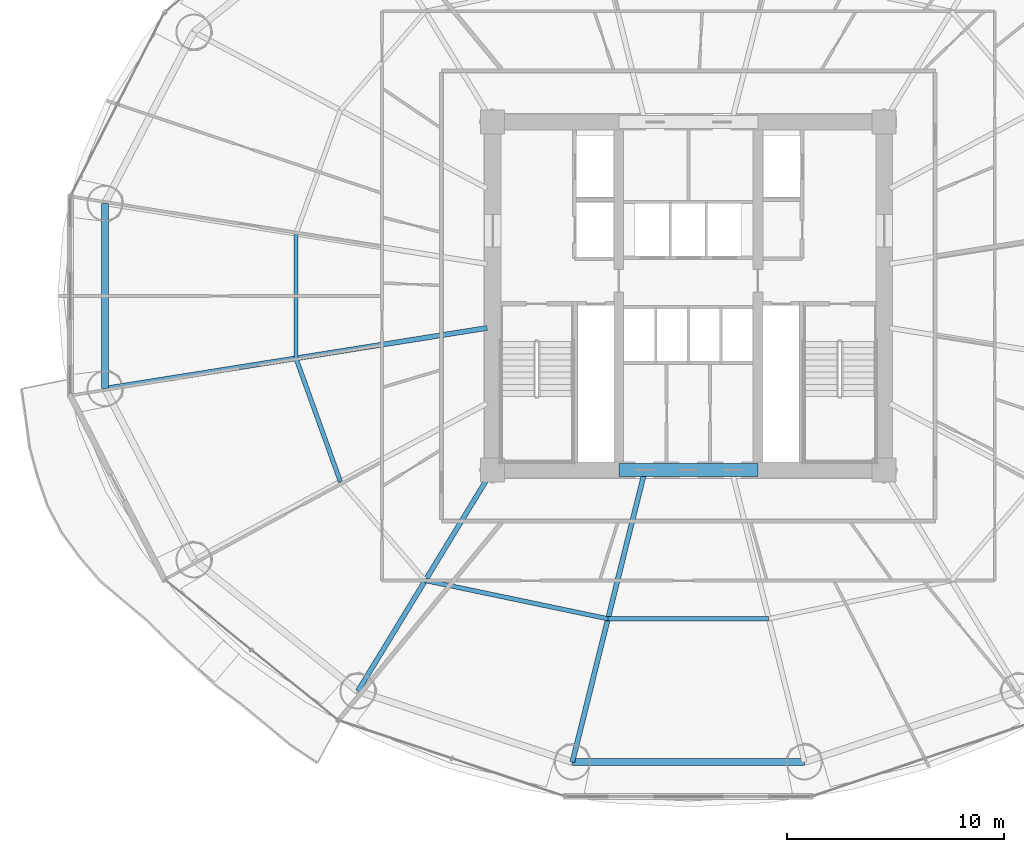
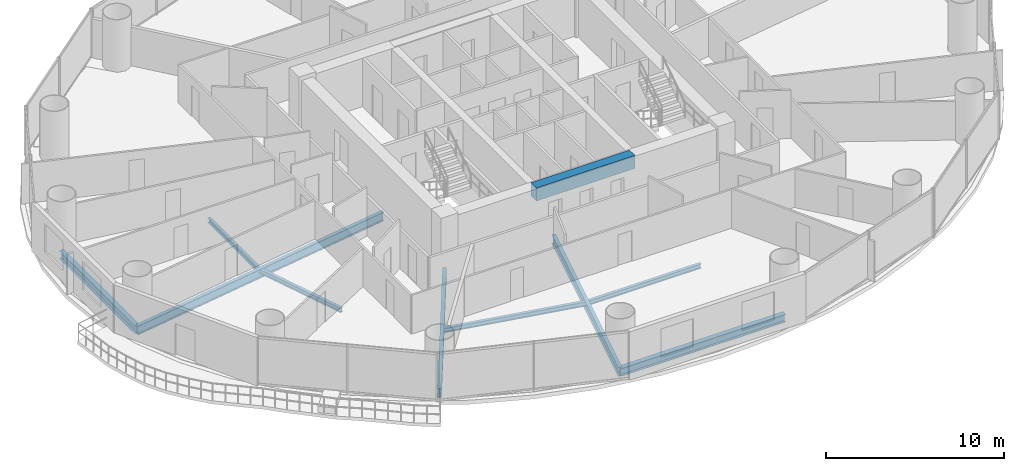
# One storey, part 5 of 28: 10 beams.
"""IFC4 building model written with IfcOpenShell, lengths in metres."""

from ifc_helpers import new_model, si_unit, direction, frame, origin, origin_2d, place, context, subcontext, project, spatial, rectangle, i_section, extrude, material, material_profile, profile_set, type_object, element, save


model = new_model("IFC4")

# Units and contexts
model_context = context("Model", 3, precision=1e-05, world=origin(), true_north=direction((-0.2419218956, 0.970295726276)))
body_context = subcontext(model_context, "Body", "Model", "MODEL_VIEW")
ifc_project = project(units=[si_unit("LENGTHUNIT", "METRE"), si_unit("AREAUNIT", "SQUARE_METRE"), si_unit("VOLUMEUNIT", "CUBIC_METRE"), si_unit("PLANEANGLEUNIT", "RADIAN"), si_unit("MASSUNIT", "GRAM", prefix="KILO")], contexts=[model_context])

# Site, building, storey
site_placement = place(None, origin())
site = spatial("IfcSite", under=ifc_project, at=site_placement, CompositionType="ELEMENT")
building_placement = place(site_placement, origin())
building = spatial("IfcBuilding", under=site, at=building_placement, Name="Cobrevalo Terracotta Tower", CompositionType="ELEMENT")
storey_placement = place(building_placement, frame((0.0, 0.0, 42.0)))
storey = spatial("IfcBuildingStorey", under=building, at=storey_placement, Name="L10", CompositionType="ELEMENT", Elevation=42.0)

# Beams
ifc_material_1 = material(Name="Concrete C60", Category="concrete")
ifc_material_profile_1 = material_profile(ifc_material_1, rectangle(XDim=0.60009765625, YDim=0.89990234375, at=origin_2d()), Name="RC CB 600x900")
ifc_profile_set_1 = profile_set([ifc_material_profile_1], Name="Concrete C60")
beam_type_1 = type_object("IfcBeamType", Name="Structural Beam RC CB 600x900 (Concrete C60)", PredefinedType="BEAM", material=ifc_profile_set_1)
beam_1_placement = place(storey_placement, frame((34.800048828125, 18.800048828125, 2.8701171875), z_axis=(1.0, 0.0, 0.0), x_axis=(0.0, 1.0, 0.0)))
element("IfcBeam", 1, at=beam_1_placement, inside=storey, type_object=beam_type_1, Name="L10 core coupling beam 1", PredefinedType="BEAM", context=body_context, shape_type="SweptSolid", body=[
    extrude(rectangle(XDim=0.60009765625, YDim=0.89990234375, at=origin_2d()), origin(), (0.0, 0.0, 1.0), 6.39990234375),
])
ifc_material_2 = material(Name="Steel S355", Category="steel")
ifc_material_profile_2 = material_profile(ifc_material_2, i_section(OverallWidth=0.22998046875, OverallDepth=0.616943359375, WebThickness=0.01318359375, FlangeThickness=0.022216796875, at=origin_2d()), Name="W 610x140")
ifc_profile_set_2 = profile_set([ifc_material_profile_2], Name="Steel S355")
beam_type_2 = type_object("IfcBeamType", Name="Structural Beam W 610x140 (Steel S355)", PredefinedType="BEAM", material=ifc_profile_set_2)
beam_2_placement = place(storey_placement, frame((11.175537109375, 22.537353515625, -0.58837890625), z_axis=(0.987607924622, 0.156941349628, 0.0), x_axis=(-0.156941349628, 0.987607924622, 0.0)))
element("IfcBeam", 2, at=beam_2_placement, inside=storey, type_object=beam_type_2, Name="L10 radial floor girder 09", PredefinedType="BEAM", context=body_context, shape_type="SweptSolid", body=[
    extrude(i_section(OverallWidth=0.22998046875, OverallDepth=0.616943359375, WebThickness=0.01318359375, FlangeThickness=0.022216796875, at=origin_2d()), origin(), (0.0, 0.0, 1.0), 17.7900390625),
])
beam_3_placement = place(storey_placement, frame((22.80517578125, 8.63232421875, -0.58837890625), z_axis=(0.520300780853, 0.853983077961, 0.0), x_axis=(-0.853983077961, 0.520300780853, 0.0)))
element("IfcBeam", 3, at=beam_3_placement, inside=storey, type_object=beam_type_2, Name="L10 radial floor girder 11", PredefinedType="BEAM", context=body_context, shape_type="SweptSolid", body=[
    extrude(i_section(OverallWidth=0.22998046875, OverallDepth=0.616943359375, WebThickness=0.01318359375, FlangeThickness=0.022216796875, at=origin_2d()), origin(), (0.0, 0.0, 1.0), 11.90625),
])
beam_4_placement = place(storey_placement, frame((32.664306640625, 5.369873046875, -0.58837890625), z_axis=(0.241600470374, 0.970375810042, 0.0), x_axis=(-0.970375810042, 0.241600470374, 0.0)))
element("IfcBeam", 4, at=beam_4_placement, inside=storey, type_object=beam_type_2, Name="L10 radial floor girder 12", PredefinedType="BEAM", context=body_context, shape_type="SweptSolid", body=[
    extrude(i_section(OverallWidth=0.22998046875, OverallDepth=0.616943359375, WebThickness=0.01318359375, FlangeThickness=0.022216796875, at=origin_2d()), origin(), (0.0, 0.0, 1.0), 13.5771484375),
])
ifc_material_profile_3 = material_profile(ifc_material_2, i_section(OverallWidth=0.2041015625, OverallDepth=0.305908203125, WebThickness=0.008544921875, FlangeThickness=0.0146484375, at=origin_2d()), Name="W 310x67")
ifc_profile_set_3 = profile_set([ifc_material_profile_3], Name="Steel S355")
beam_type_3 = type_object("IfcBeamType", Name="Structural Joist W 310x67 (Steel S355)", PredefinedType="JOIST", material=ifc_profile_set_3)
beam_5_placement = place(storey_placement, frame((19.960205078125, 29.666748046875, -0.43310546875), z_axis=(0.0, -1.0, 0.0), x_axis=(1.0, 0.0, 0.0)))
element("IfcBeam", 5, at=beam_5_placement, inside=storey, type_object=beam_type_3, Name="L10 circumferential secondary floor joist 08", PredefinedType="JOIST", context=body_context, shape_type="SweptSolid", body=[
    extrude(i_section(OverallWidth=0.2041015625, OverallDepth=0.305908203125, WebThickness=0.008544921875, FlangeThickness=0.0146484375, at=origin_2d()), origin(), (0.0, 0.0, 1.0), 5.7333984375),
])
beam_6_placement = place(storey_placement, frame((19.960205078125, 23.933349609375, -0.43310546875), z_axis=(0.338672151116, -0.940904444701, 0.0), x_axis=(0.940904444701, 0.338672151116, 0.0)))
element("IfcBeam", 6, at=beam_6_placement, inside=storey, type_object=beam_type_3, Name="L10 circumferential secondary floor joist 09", PredefinedType="JOIST", context=body_context, shape_type="SweptSolid", body=[
    extrude(i_section(OverallWidth=0.2041015625, OverallDepth=0.305908203125, WebThickness=0.008544921875, FlangeThickness=0.0146484375, at=origin_2d()), origin(), (0.0, 0.0, 1.0), 6.029296875),
])
beam_7_placement = place(storey_placement, frame((25.902587890625, 13.71630859375, -0.43310546875), z_axis=(0.978784523904, -0.204892302848, 0.0), x_axis=(0.204892302848, 0.978784523904, 0.0)))
element("IfcBeam", 7, at=beam_7_placement, inside=storey, type_object=beam_type_3, Name="L10 circumferential secondary floor joist 11", PredefinedType="JOIST", context=body_context, shape_type="SweptSolid", body=[
    extrude(i_section(OverallWidth=0.2041015625, OverallDepth=0.305908203125, WebThickness=0.008544921875, FlangeThickness=0.0146484375, at=origin_2d()), origin(), (0.0, 0.0, 1.0), 8.583984375),
])
beam_8_placement = place(storey_placement, frame((34.304443359375, 11.95751953125, -0.43310546875), z_axis=(1.0, 0.0, 0.0), x_axis=(0.0, 1.0, 0.0)))
element("IfcBeam", 8, at=beam_8_placement, inside=storey, type_object=beam_type_3, Name="L10 circumferential secondary floor joist 12", PredefinedType="JOIST", context=body_context, shape_type="SweptSolid", body=[
    extrude(i_section(OverallWidth=0.2041015625, OverallDepth=0.305908203125, WebThickness=0.008544921875, FlangeThickness=0.0146484375, at=origin_2d()), origin(), (0.0, 0.0, 1.0), 7.39111328125),
])
ifc_material_profile_4 = material_profile(ifc_material_2, i_section(OverallWidth=0.31201171875, OverallDepth=0.54296875, WebThickness=0.0126953125, FlangeThickness=0.020263671875, at=origin_2d()), Name="W 530x150")
ifc_profile_set_4 = profile_set([ifc_material_profile_4], Name="Steel S355")
beam_type_4 = type_object("IfcBeamType", Name="Structural Spandrel W 530x150 (Steel S355)", PredefinedType="SPANDREL", material=ifc_profile_set_4)
beam_9_placement = place(storey_placement, frame((11.175537109375, 31.062744140625, -0.551513671875), z_axis=(0.0, -1.0, 0.0), x_axis=(1.0, 0.0, 0.0)))
element("IfcBeam", 9, at=beam_9_placement, inside=storey, type_object=beam_type_4, Name="L10 perimeter ring spandrel 08", PredefinedType="SPANDREL", context=body_context, shape_type="SweptSolid", body=[
    extrude(i_section(OverallWidth=0.31201171875, OverallDepth=0.54296875, WebThickness=0.0126953125, FlangeThickness=0.020263671875, at=origin_2d()), origin(), (0.0, 0.0, 1.0), 8.525390625),
])
beam_10_placement = place(storey_placement, frame((32.664306640625, 5.369873046875, -0.551513671875), z_axis=(1.0, 0.0, 0.0), x_axis=(0.0, 1.0, 0.0)))
element("IfcBeam", 10, at=beam_10_placement, inside=storey, type_object=beam_type_4, Name="L10 perimeter ring spandrel 12", PredefinedType="SPANDREL", context=body_context, shape_type="SweptSolid", body=[
    extrude(i_section(OverallWidth=0.31201171875, OverallDepth=0.54296875, WebThickness=0.0126953125, FlangeThickness=0.020263671875, at=origin_2d()), origin(), (0.0, 0.0, 1.0), 10.67138671875),
])

save(model, "model.ifc")
